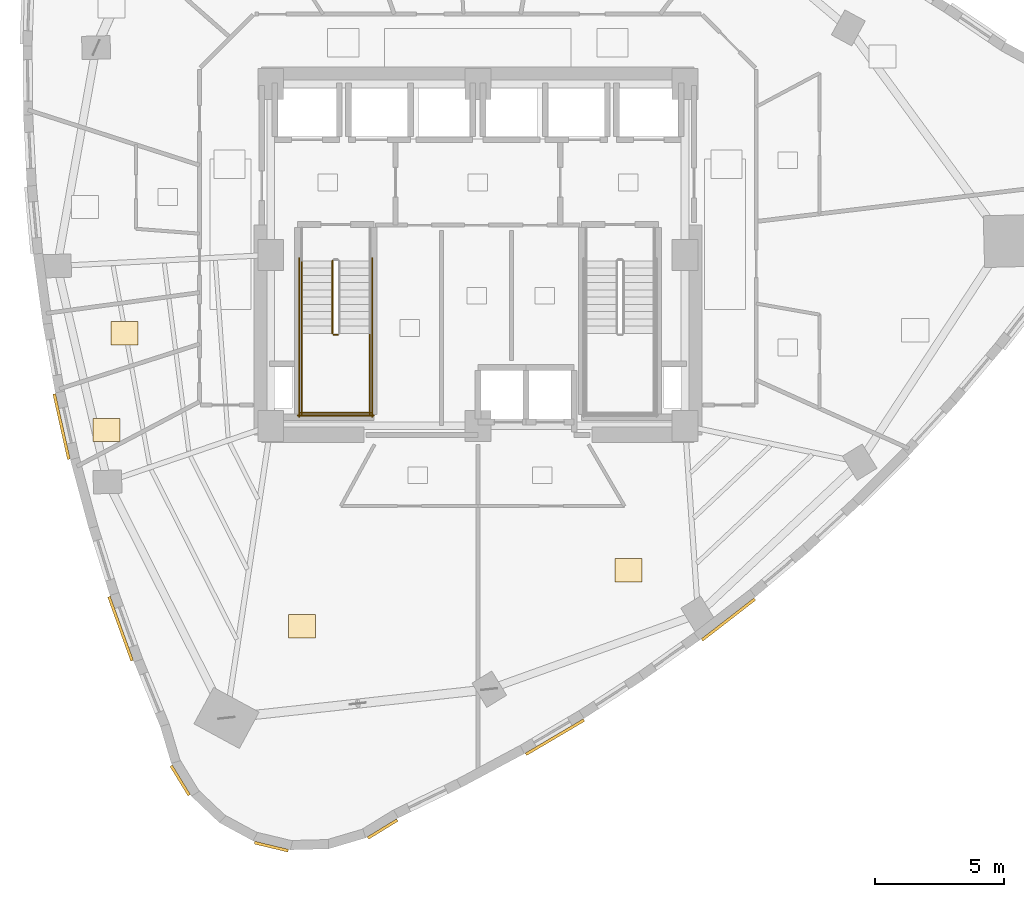
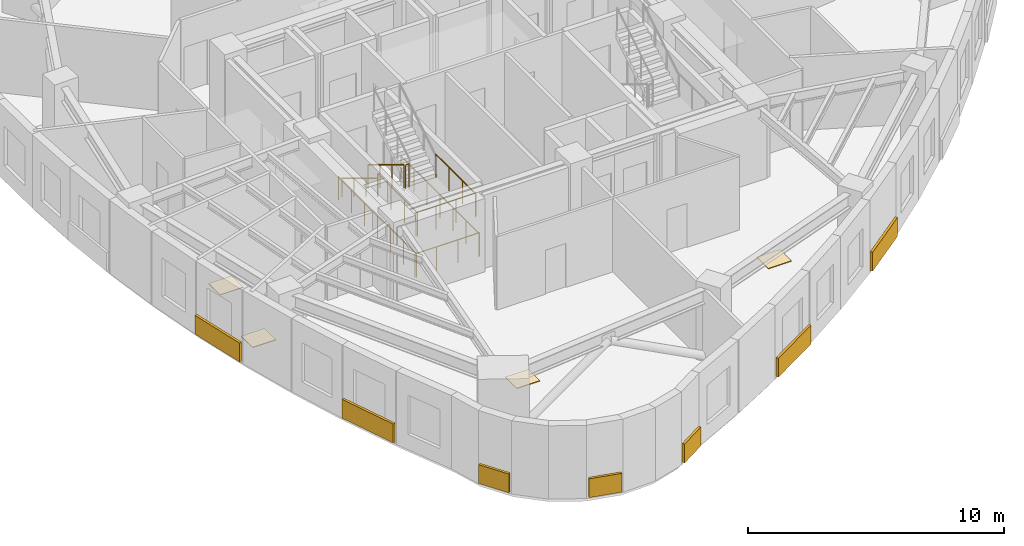
# One storey, part 11 of 13: 11 coverings, 9 railings.
"""IFC4 building model written with IfcOpenShell, lengths in metres."""

from ifc_helpers import new_model, si_unit, direction, frame, origin, origin_2d, place, context, subcontext, project, spatial, rectangle, circle, extrude, material, layer, layer_set, type_object, element, save


model = new_model("IFC4")

# Units and contexts
model_context = context("Model", 3, precision=1e-05, world=origin(), true_north=direction((0.0, 1.0)))
body_context = subcontext(model_context, "Body", "Model", "MODEL_VIEW")
ifc_project = project(units=[si_unit("LENGTHUNIT", "METRE"), si_unit("AREAUNIT", "SQUARE_METRE"), si_unit("VOLUMEUNIT", "CUBIC_METRE"), si_unit("PLANEANGLEUNIT", "RADIAN"), si_unit("MASSUNIT", "GRAM", prefix="KILO")], contexts=[model_context])

# Site, building, storey
site_placement = place(None, origin())
site = spatial("IfcSite", under=ifc_project, at=site_placement, CompositionType="ELEMENT")
building_placement = place(site_placement, origin())
building = spatial("IfcBuilding", under=site, at=building_placement, Name="Ndelora Gate Hotel", CompositionType="ELEMENT")
storey_placement = place(building_placement, frame((0.0, 0.0, 157.25)))
storey = spatial("IfcBuildingStorey", under=building, at=storey_placement, Name="L39", CompositionType="ELEMENT", Elevation=157.25)

# Coverings
ifc_material_1 = material(Name="Terracotta Fired Clay Brick Slip Cladding", Category="masonry")
ifc_layer_1 = layer(ifc_material_1, 0.110107421875)
ifc_layer_set_1 = layer_set([ifc_layer_1], Name="Terracotta Fired Clay Brick Slip Cladding")
covering_type_1 = type_object("IfcCoveringType", Name="COV-CLAD-BRK", PredefinedType="CLADDING", material=ifc_layer_set_1)
covering_1_placement = place(storey_placement, frame((-16.08154296875, -6.630615234375, 0.10009765625), z_axis=(0.0, 0.0, 1.0), x_axis=(-0.218994806262, 0.975726024471, 0.0)))
element("IfcCovering", 1, at=covering_1_placement, inside=storey, type_object=covering_type_1, Name="L39 Rounded-Corner Brick Cladding Band 16", PredefinedType="CLADDING", context=body_context, shape_type="SweptSolid", body=[
    extrude(rectangle(XDim=2.583984375, YDim=0.110107421875, at=origin_2d()), origin(), (0.0, 0.0, 1.0), 0.89990234375),
])
covering_2_placement = place(storey_placement, frame((-13.8037109375, -14.436279296875, 0.10009765625), z_axis=(0.0, 0.0, 1.0), x_axis=(-0.339230517808, 0.940703277228, 0.0)))
element("IfcCovering", 2, at=covering_2_placement, inside=storey, type_object=covering_type_1, Name="L39 Rounded-Corner Brick Cladding Band 19", PredefinedType="CLADDING", context=body_context, shape_type="SweptSolid", body=[
    extrude(rectangle(XDim=2.6279296875, YDim=0.110107421875, at=origin_2d()), origin(), (0.0, 0.0, 1.0), 0.89990234375),
])
for number, where, z_axis, x_axis, name in (
    (3, (-11.5, -20.298583984375, 0.10009765625), (0.0, 0.0, 1.0), (-0.522498564716, 0.852640164354, 0.0), "L39 Rounded-Corner Brick Cladding Band 22"),
    (4, (-7.97900390625, -22.85693359375, 0.10009765625), (0.0, 0.0, 1.0), (-0.972369920398, 0.233445363856, 0.0), "L39 Rounded-Corner Brick Cladding Band 25"),
    (5, (-3.680419921875, -22.176025390625, 0.10009765625), (0.0, 0.0, 1.0), (0.852640164354, 0.522498564716, 0.0), "L39 Rounded-Corner Brick Cladding Band 28"),
):
    element("IfcCovering", number, at=place(storey_placement, frame(where, z_axis=z_axis, x_axis=x_axis)), inside=storey, type_object=covering_type_1, Name=name, PredefinedType="CLADDING", context=body_context, shape_type="SweptSolid", body=[
        extrude(rectangle(XDim=1.3359375, YDim=0.110107421875, at=origin_2d()), origin(), (0.0, 0.0, 1.0), 0.89990234375),
    ])
covering_3_placement = place(storey_placement, frame((2.975341796875, -18.628173828125, 0.10009765625), z_axis=(0.0, 0.0, 1.0), x_axis=(0.861274621876, 0.508139769859, 0.0)))
element("IfcCovering", 6, at=covering_3_placement, inside=storey, type_object=covering_type_1, Name="L39 Rounded-Corner Brick Cladding Band 31", PredefinedType="CLADDING", context=body_context, shape_type="SweptSolid", body=[
    extrude(rectangle(XDim=2.60791015625, YDim=0.110107421875, at=origin_2d()), origin(), (0.0, 0.0, 1.0), 0.89990234375),
])
covering_4_placement = place(storey_placement, frame((9.67578125, -14.084716796875, 0.10009765625), z_axis=(0.0, 0.0, 1.0), x_axis=(0.790368909154, 0.612631200187, 0.0)))
element("IfcCovering", 7, at=covering_4_placement, inside=storey, type_object=covering_type_1, Name="L39 Rounded-Corner Brick Cladding Band 34", PredefinedType="CLADDING", context=body_context, shape_type="SweptSolid", body=[
    extrude(rectangle(XDim=2.580078125, YDim=0.110107421875, at=origin_2d()), origin(), (0.0, 0.0, 1.0), 0.89990234375),
])
ifc_material_2 = material(Name="Engineered Highland Oak Parquet", Category="wood")
ifc_layer_2 = layer(ifc_material_2, 0.030029296875)
ifc_layer_set_2 = layer_set([ifc_layer_2], Name="Engineered Highland Oak Parquet")
covering_type_2 = type_object("IfcCoveringType", Name="COV-FLR-PARQ", PredefinedType="FLOORING", material=ifc_layer_set_2)
for number, where, z_axis, x_axis, name in (
    (8, (-6.793212890625, -14.343505859375, 0.0), (0.0, 0.0, 1.0), (1.0, 0.0, 0.0), "L39 Club King Corner Suite 4201 Oak Parquet Flooring"),
    (9, (5.814453125, -12.183837890625, 0.0), (0.0, 0.0, 1.0), (1.0, 0.0, 0.0), "L39 Club Twin Corner Suite 4202 Oak Parquet Flooring"),
    (10, (-13.6513671875, -3.01953125, 0.0), (0.0, 0.0, 1.0), (1.0, 0.0, 0.0), "L39 Housekeeping and Linen Room Oak Parquet Flooring"),
    (11, (-14.341064453125, -6.76171875, 0.0), (0.0, 0.0, 1.0), (1.0, 0.0, 0.0), "L39 Accessible WC Oak Parquet Flooring"),
):
    element("IfcCovering", number, at=place(storey_placement, frame(where, z_axis=z_axis, x_axis=x_axis)), inside=storey, type_object=covering_type_2, Name=name, PredefinedType="FLOORING", context=body_context, shape_type="SweptSolid", body=[
        extrude(rectangle(XDim=1.050048828125, YDim=0.89990234375, at=origin_2d()), origin(), (0.0, 0.0, 1.0), 0.030029296875),
    ])

# Railings
ifc_material_3 = material(Name="Painted Galvanized Steel Balustrade", Category="steel")
ifc_layer_3 = layer(ifc_material_3, 0.06005859375)
ifc_layer_set_3 = layer_set([ifc_layer_3], Name="Painted Galvanized Steel Balustrade")
railing_type_1 = type_object("IfcRailingType", Name="RL-STAIR-GD", PredefinedType="GUARDRAIL", material=ifc_layer_set_3)
railing_1_placement = place(storey_placement, frame((-5.6201171875, -0.22998046875, 0.17041015625)))
element("IfcRailing", 12, at=railing_1_placement, inside=storey, type_object=railing_type_1, Name="L39 ST4 stair guard 1", PredefinedType="GUARDRAIL", context=body_context, shape_type="SweptSolid", body=[
    extrude(circle(Radius=0.02392578125, at=origin_2d()), frame((0.0, 0.0, 1.10595703125), z_axis=(0.0, -0.854169791009, 0.51999420009), x_axis=(1.0, 0.0, 0.0)), (0.0, 0.0, 1.0), 3.278076171875),
    extrude(circle(Radius=0.02099609375, at=origin_2d()), origin(), (0.0, 0.0, 1.0), 1.081787109375),
    extrude(circle(Radius=0.02099609375, at=origin_2d()), frame((0.0, -0.933349609375, 0.568115234375)), (0.0, 0.0, 1.0), 1.081787109375),
    extrude(circle(Radius=0.02099609375, at=origin_2d()), frame((0.0, -1.86669921875, 1.136474609375)), (0.0, 0.0, 1.0), 1.081787109375),
    extrude(circle(Radius=0.02099609375, at=origin_2d()), frame((0.0, -2.800048828125, 1.70458984375)), (0.0, 0.0, 1.0), 1.081787109375),
])
railing_2_placement = place(storey_placement, frame((-5.570068359375, -3.080078125, 1.875)))
element("IfcRailing", 13, at=railing_2_placement, inside=storey, type_object=railing_type_1, Name="L39 ST4 stair guard 2", PredefinedType="GUARDRAIL", context=body_context, shape_type="SweptSolid", body=[
    extrude(circle(Radius=0.02392578125, at=origin_2d()), frame((0.0, 0.0, 1.10595703125), z_axis=(1.0, 0.0, 0.0), x_axis=(0.0, 1.0, 0.0)), (0.0, 0.0, 1.0), 0.16015625),
    extrude(circle(Radius=0.02099609375, at=origin_2d()), origin(), (0.0, 0.0, 1.0), 1.081787109375),
    extrude(circle(Radius=0.02099609375, at=origin_2d()), frame((0.16015625, 0.0, 0.0)), (0.0, 0.0, 1.0), 1.081787109375),
])
for number, where, name in (
    (14, (-6.800048828125, -3.030029296875, 1.875), "L39 ST4 stair guard 3"),
    (15, (-4.179931640625, -3.030029296875, 1.875), "L39 ST4 stair guard 4"),
):
    element("IfcRailing", number, at=place(storey_placement, frame(where)), inside=storey, type_object=railing_type_1, Name=name, PredefinedType="GUARDRAIL", context=body_context, shape_type="SweptSolid", body=[
        extrude(circle(Radius=0.02392578125, at=origin_2d()), frame((0.0, 0.0, 1.10595703125), z_axis=(0.0, -1.0, 0.0), x_axis=(1.0, 0.0, 0.0)), (0.0, 0.0, 1.0), 3.119873046875),
        extrude(circle(Radius=0.02099609375, at=origin_2d()), origin(), (0.0, 0.0, 1.0), 1.081787109375),
        extrude(circle(Radius=0.02099609375, at=origin_2d()), frame((0.0, -1.0400390625, 0.0)), (0.0, 0.0, 1.0), 1.081787109375),
        extrude(circle(Radius=0.02099609375, at=origin_2d()), frame((0.0, -2.079833984375, 0.0)), (0.0, 0.0, 1.0), 1.081787109375),
        extrude(circle(Radius=0.02099609375, at=origin_2d()), frame((0.0, -3.119873046875, 0.0)), (0.0, 0.0, 1.0), 1.081787109375),
    ])
railing_3_placement = place(storey_placement, frame((-6.85009765625, -6.10009765625, 1.875)))
element("IfcRailing", 16, at=railing_3_placement, inside=storey, type_object=railing_type_1, Name="L39 ST4 stair guard 5", PredefinedType="GUARDRAIL", context=body_context, shape_type="SweptSolid", body=[
    extrude(circle(Radius=0.02392578125, at=origin_2d()), frame((0.0, 0.0, 1.10595703125), z_axis=(1.0, 0.0, 0.0), x_axis=(0.0, 1.0, 0.0)), (0.0, 0.0, 1.0), 2.72021484375),
    extrude(circle(Radius=0.02099609375, at=origin_2d()), origin(), (0.0, 0.0, 1.0), 1.081787109375),
    extrude(circle(Radius=0.02099609375, at=origin_2d()), frame((0.90673828125, 0.0, 0.0)), (0.0, 0.0, 1.0), 1.081787109375),
    extrude(circle(Radius=0.02099609375, at=origin_2d()), frame((1.8134765625, 0.0, 0.0)), (0.0, 0.0, 1.0), 1.081787109375),
    extrude(circle(Radius=0.02099609375, at=origin_2d()), frame((2.72021484375, 0.0, 0.0)), (0.0, 0.0, 1.0), 1.081787109375),
])
for number, where, name in (
    (17, (-6.89990234375, -0.1298828125, 0.0), "L39 ST4 stair guard 10"),
    (18, (-4.080078125, -0.1298828125, 0.0), "L39 ST4 stair guard 11"),
):
    element("IfcRailing", number, at=place(storey_placement, frame(where)), inside=storey, type_object=railing_type_1, Name=name, PredefinedType="GUARDRAIL", context=body_context, shape_type="SweptSolid", body=[
        extrude(circle(Radius=0.02392578125, at=origin_2d()), frame((0.0, 0.0, 1.10595703125), z_axis=(0.0, -1.0, 0.0), x_axis=(1.0, 0.0, 0.0)), (0.0, 0.0, 1.0), 6.1201171875),
        extrude(circle(Radius=0.02099609375, at=origin_2d()), origin(), (0.0, 0.0, 1.0), 1.081787109375),
        extrude(circle(Radius=0.02099609375, at=origin_2d()), frame((0.0, -1.02001953125, 0.0)), (0.0, 0.0, 1.0), 1.081787109375),
        extrude(circle(Radius=0.02099609375, at=origin_2d()), frame((0.0, -2.0400390625, 0.0)), (0.0, 0.0, 1.0), 1.081787109375),
        extrude(circle(Radius=0.02099609375, at=origin_2d()), frame((0.0, -3.06005859375, 0.0)), (0.0, 0.0, 1.0), 1.081787109375),
        extrude(circle(Radius=0.02099609375, at=origin_2d()), frame((0.0, -4.080078125, 0.0)), (0.0, 0.0, 1.0), 1.081787109375),
        extrude(circle(Radius=0.02099609375, at=origin_2d()), frame((0.0, -5.10009765625, 0.0)), (0.0, 0.0, 1.0), 1.081787109375),
        extrude(circle(Radius=0.02099609375, at=origin_2d()), frame((0.0, -6.1201171875, 0.0)), (0.0, 0.0, 1.0), 1.081787109375),
    ])
railing_4_placement = place(storey_placement, frame((-6.949951171875, -6.199951171875, 0.0)))
element("IfcRailing", 19, at=railing_4_placement, inside=storey, type_object=railing_type_1, Name="L39 ST4 stair guard 12", PredefinedType="GUARDRAIL", context=body_context, shape_type="SweptSolid", body=[
    extrude(circle(Radius=0.02392578125, at=origin_2d()), frame((0.0, 0.0, 1.10595703125), z_axis=(1.0, 0.0, 0.0), x_axis=(0.0, 1.0, 0.0)), (0.0, 0.0, 1.0), 2.919921875),
    extrude(circle(Radius=0.02099609375, at=origin_2d()), origin(), (0.0, 0.0, 1.0), 1.081787109375),
    extrude(circle(Radius=0.02099609375, at=origin_2d()), frame((0.973388671875, 0.0, 0.0)), (0.0, 0.0, 1.0), 1.081787109375),
    extrude(circle(Radius=0.02099609375, at=origin_2d()), frame((1.946533203125, 0.0, 0.0)), (0.0, 0.0, 1.0), 1.081787109375),
    extrude(circle(Radius=0.02099609375, at=origin_2d()), frame((2.919921875, 0.0, 0.0)), (0.0, 0.0, 1.0), 1.081787109375),
])
ifc_material_4 = material(Name="Brushed Stainless Steel 316", Category="steel")
ifc_layer_4 = layer(ifc_material_4, 0.050048828125)
ifc_layer_set_4 = layer_set([ifc_layer_4], Name="Brushed Stainless Steel 316")
railing_type_2 = type_object("IfcRailingType", Name="RL-STAIR-HR", PredefinedType="HANDRAIL", material=ifc_layer_set_4)
railing_5_placement = place(storey_placement, frame((-6.800048828125, -0.22998046875, 0.17041015625)))
element("IfcRailing", 20, at=railing_5_placement, inside=storey, type_object=railing_type_2, Name="L39 ST4 stair handrail 1", PredefinedType="HANDRAIL", context=body_context, shape_type="SweptSolid", body=[
    extrude(circle(Radius=0.02392578125, at=origin_2d()), frame((0.0, 0.0, 0.8759765625), z_axis=(0.0, -0.854169791009, 0.51999420009), x_axis=(1.0, 0.0, 0.0)), (0.0, 0.0, 1.0), 3.278076171875),
    extrude(circle(Radius=0.02099609375, at=origin_2d()), origin(), (0.0, 0.0, 1.0), 0.851806640625),
    extrude(circle(Radius=0.02099609375, at=origin_2d()), frame((0.0, -0.933349609375, 0.568115234375)), (0.0, 0.0, 1.0), 0.851806640625),
    extrude(circle(Radius=0.02099609375, at=origin_2d()), frame((0.0, -1.86669921875, 1.136474609375)), (0.0, 0.0, 1.0), 0.851806640625),
    extrude(circle(Radius=0.02099609375, at=origin_2d()), frame((0.0, -2.800048828125, 1.70458984375)), (0.0, 0.0, 1.0), 0.851806640625),
])

save(model, "model.ifc")
